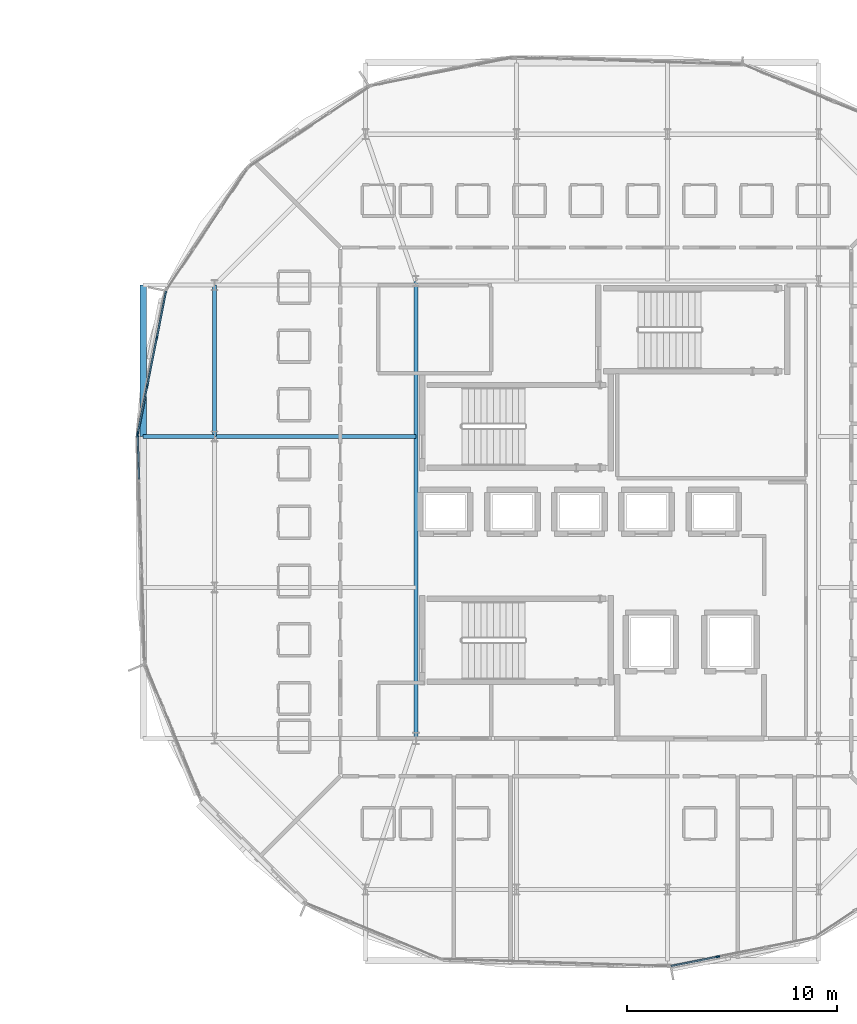
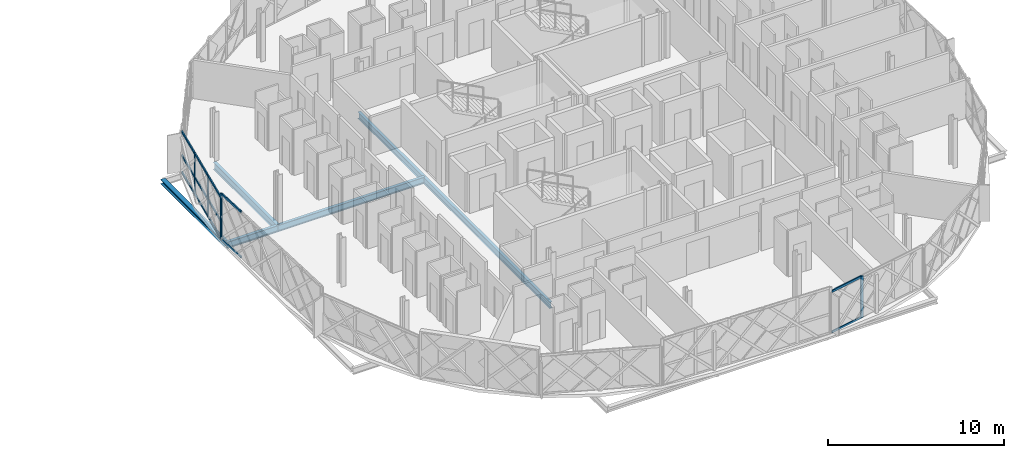
# One storey, part 7 of 26: 18 members, 5 beams, 3 elements without a shape of their own.
"""IFC4 building model written with IfcOpenShell, lengths in metres."""

from ifc_helpers import new_model, si_unit, direction, frame, origin, origin_2d, place, context, subcontext, project, spatial, rectangle, i_section, extrude, material, layer, layer_set, material_profile, profile_set, type_object, element, aggregate, save


model = new_model("IFC4")

# Units and contexts
model_context = context("Model", 3, precision=1e-05, world=origin(), true_north=direction((0.0, 1.0)))
body_context = subcontext(model_context, "Body", "Model", "MODEL_VIEW")
ifc_project = project(units=[si_unit("LENGTHUNIT", "METRE"), si_unit("AREAUNIT", "SQUARE_METRE"), si_unit("VOLUMEUNIT", "CUBIC_METRE"), si_unit("PLANEANGLEUNIT", "RADIAN"), si_unit("MASSUNIT", "GRAM", prefix="KILO")], contexts=[model_context])

# Site, building, storey
site_placement = place(None, origin())
site = spatial("IfcSite", under=ifc_project, at=site_placement, CompositionType="ELEMENT")
building_placement = place(site_placement, origin())
building = spatial("IfcBuilding", under=site, at=building_placement, Name="Zevrakil Square Congress Hotel", CompositionType="ELEMENT")
storey_placement = place(building_placement, frame((0.0, 0.0, 24.89990234375)))
storey = spatial("IfcBuildingStorey", under=building, at=storey_placement, Name="L07", CompositionType="ELEMENT", Elevation=24.89990234375)

# Beams
ifc_material_1 = material(Name="Steel S355", Category="steel")
ifc_material_profile_1 = material_profile(ifc_material_1, i_section(OverallWidth=0.18994140625, OverallDepth=0.449951171875, WebThickness=0.009521484375, FlangeThickness=0.0146484375, FilletRadius=0.02099609375, at=origin_2d()), Name="IPE 450")
ifc_profile_set_1 = profile_set([ifc_material_profile_1], Name="Steel S355")
beam_type_1 = type_object("IfcBeamType", Name="BM-IPE450", PredefinedType="BEAM", material=ifc_profile_set_1)
beam_1_placement = place(storey_placement, frame((136.800048828125, 38.60009765625, -0.429931640625), z_axis=(0.0, -1.0, 0.0), x_axis=(1.0, 0.0, 0.0)))
element("IfcBeam", 1, at=beam_1_placement, inside=storey, type_object=beam_type_1, Name="L07 drum core perimeter tie beam DCB-04", PredefinedType="BEAM", context=body_context, shape_type="SweptSolid", body=[
    extrude(i_section(OverallWidth=0.18994140625, OverallDepth=0.449951171875, WebThickness=0.009521484375, FlangeThickness=0.0146484375, FilletRadius=0.02099609375, at=origin_2d()), origin(), (0.0, 0.0, 1.0), 21.800048828125),
])
beam_2_placement = place(storey_placement, frame((136.800048828125, 31.199951171875, -0.429931640625), z_axis=(-1.0, 0.0, 0.0), x_axis=(0.0, -1.0, 0.0)))
element("IfcBeam", 2, at=beam_2_placement, inside=storey, type_object=beam_type_1, Name="L07 drum radial floor beam DRI-14", PredefinedType="BEAM", context=body_context, shape_type="SweptSolid", body=[
    extrude(i_section(OverallWidth=0.18994140625, OverallDepth=0.449951171875, WebThickness=0.009521484375, FlangeThickness=0.0146484375, FilletRadius=0.02099609375, at=origin_2d()), origin(), (0.0, 0.0, 1.0), 9.60009765625),
])
beam_3_placement = place(storey_placement, frame((127.199951171875, 31.199951171875, -0.429931640625), z_axis=(-1.0, 0.0, 0.0), x_axis=(0.0, -1.0, 0.0)))
element("IfcBeam", 3, at=beam_3_placement, inside=storey, type_object=beam_type_1, Name="L07 drum radial edge cantilever beam DRO-14", PredefinedType="BEAM", context=body_context, shape_type="SweptSolid", body=[
    extrude(i_section(OverallWidth=0.18994140625, OverallDepth=0.449951171875, WebThickness=0.009521484375, FlangeThickness=0.0146484375, FilletRadius=0.02099609375, at=origin_2d()), origin(), (0.0, 0.0, 1.0), 3.39990234375),
])
ifc_material_2 = material(Name="Steel S355", Category="steel")
ifc_material_profile_2 = material_profile(ifc_material_2, i_section(OverallWidth=0.199951171875, OverallDepth=0.5, WebThickness=0.01025390625, FlangeThickness=0.01611328125, FilletRadius=0.02099609375, at=origin_2d()), Name="IPE 500")
ifc_profile_set_2 = profile_set([ifc_material_profile_2], Name="Steel S355")
beam_type_2 = type_object("IfcBeamType", Name="BM-IPE500", PredefinedType="BEAM", material=ifc_profile_set_2)
beam_4_placement = place(storey_placement, frame((127.199951171875, 38.39990234375, -0.454833984375), z_axis=(0.0, -1.0, 0.0), x_axis=(1.0, 0.0, 0.0)))
element("IfcBeam", 4, at=beam_4_placement, inside=storey, type_object=beam_type_2, Name="L07 drum ring girder DRB-13", PredefinedType="BEAM", context=body_context, shape_type="SweptSolid", body=[
    extrude(i_section(OverallWidth=0.199951171875, OverallDepth=0.5, WebThickness=0.01025390625, FlangeThickness=0.01611328125, FilletRadius=0.02099609375, at=origin_2d()), origin(), (0.0, 0.0, 1.0), 7.199951171875),
])

# Curtain wall, members
ifc_material_3 = material(Name="Aluminium Anodised Bronze", Category="aluminium")
ifc_layer_1 = layer(ifc_material_3, 0.179931640625)
ifc_layer_set_1 = layer_set([ifc_layer_1], Name="Aluminium Anodised Bronze")
curtain_wall_type_1 = type_object("IfcCurtainWallType", Name="CW-L07-720", PredefinedType="USERDEFINED", material=ifc_layer_set_1)
curtain_wall_1_placement = place(storey_placement, origin())
curtain_wall_1 = element("IfcCurtainWall", 5, at=curtain_wall_1_placement, inside=storey, type_object=curtain_wall_type_1, Name="L07 diamond curtain wall CW-L07-0219", ObjectType="GLAZED CURTAIN WALL", PredefinedType="USERDEFINED")
ifc_material_4 = material(Name="Aluminium Anodised Bronze", Category="aluminium")
ifc_material_profile_3 = material_profile(ifc_material_4, rectangle(XDim=0.074951171875, YDim=0.14990234375, at=origin_2d()), Name="ALU 75x150")
ifc_profile_set_3 = profile_set([ifc_material_profile_3], Name="Aluminium Anodised Bronze")
member_type_1 = type_object("IfcMemberType", Name="CWM-ALU75x150", PredefinedType="USERDEFINED", material=ifc_profile_set_3)
member_1_placement = place(storey_placement, frame((148.9638671875, 5.95166015625, 0.030029296875), z_axis=(0.98078922397, 0.195070495322, 0.0), x_axis=(-0.195070495322, 0.98078922397, 0.0)))
member_1 = element("IfcMember", 6, at=member_1_placement, type_object=member_type_1, Name="CW-82 transom 1.1", ObjectType="TRANSOM", PredefinedType="USERDEFINED", context=body_context, shape_type="SweptSolid", body=[
    extrude(rectangle(XDim=0.074951171875, YDim=0.14990234375, at=origin_2d()), origin(), (0.0, 0.0, 1.0), 2.245361328125),
])
member_2_placement = place(storey_placement, frame((148.9638671875, 5.95166015625, 2.84521484375), z_axis=(0.98078922397, 0.195070495322, 0.0), x_axis=(-0.195070495322, 0.98078922397, 0.0)))
member_2 = element("IfcMember", 7, at=member_2_placement, type_object=member_type_1, Name="CW-82 transom 1.2", ObjectType="TRANSOM", PredefinedType="USERDEFINED", context=body_context, shape_type="SweptSolid", body=[
    extrude(rectangle(XDim=0.074951171875, YDim=0.14990234375, at=origin_2d()), origin(), (0.0, 0.0, 1.0), 2.245361328125),
])

curtain_wall_2_placement = place(storey_placement, origin())
curtain_wall_2 = element("IfcCurtainWall", 8, at=curtain_wall_2_placement, inside=storey, type_object=curtain_wall_type_1, Name="L07 diamond curtain wall CW-L07-0230", ObjectType="GLAZED CURTAIN WALL", PredefinedType="USERDEFINED")
member_3_placement = place(storey_placement, frame((124.89501953125, 38.1171875, 0.030029296875), z_axis=(-0.195070495322, -0.98078922397, 0.0), x_axis=(0.98078922397, -0.195070495322, 0.0)))
member_3 = element("IfcMember", 9, at=member_3_placement, type_object=member_type_1, Name="CW-82 transom 1.1", ObjectType="TRANSOM", PredefinedType="USERDEFINED", context=body_context, shape_type="SweptSolid", body=[
    extrude(rectangle(XDim=0.074951171875, YDim=0.14990234375, at=origin_2d()), origin(), (0.0, 0.0, 1.0), 2.245361328125),
])
member_4_placement = place(storey_placement, frame((124.89501953125, 38.1171875, 1.20751953125), z_axis=(-0.195070495322, -0.98078922397, 0.0), x_axis=(0.98078922397, -0.195070495322, 0.0)))
member_4 = element("IfcMember", 10, at=member_4_placement, type_object=member_type_1, Name="CW-82 transom 1.2", ObjectType="TRANSOM", PredefinedType="USERDEFINED", context=body_context, shape_type="SweptSolid", body=[
    extrude(rectangle(XDim=0.074951171875, YDim=0.14990234375, at=origin_2d()), origin(), (0.0, 0.0, 1.0), 2.245361328125),
])
member_5_placement = place(storey_placement, frame((124.89501953125, 38.1171875, 2.84521484375), z_axis=(-0.195070495322, -0.98078922397, 0.0), x_axis=(0.98078922397, -0.195070495322, 0.0)))
member_5 = element("IfcMember", 11, at=member_5_placement, type_object=member_type_1, Name="CW-82 transom 1.3", ObjectType="TRANSOM", PredefinedType="USERDEFINED", context=body_context, shape_type="SweptSolid", body=[
    extrude(rectangle(XDim=0.074951171875, YDim=0.14990234375, at=origin_2d()), origin(), (0.0, 0.0, 1.0), 2.245361328125),
])
member_6_placement = place(storey_placement, frame((124.4453125, 35.856201171875, 0.030029296875), z_axis=(-0.195084227953, -0.980786492568, 0.0), x_axis=(0.980786492568, -0.195084227953, 0.0)))
member_6 = element("IfcMember", 12, at=member_6_placement, type_object=member_type_1, Name="CW-82 transom 2.1", ObjectType="TRANSOM", PredefinedType="USERDEFINED", context=body_context, shape_type="SweptSolid", body=[
    extrude(rectangle(XDim=0.074951171875, YDim=0.14990234375, at=origin_2d()), origin(), (0.0, 0.0, 1.0), 2.275146484375),
])
member_7_placement = place(storey_placement, frame((124.4453125, 35.856201171875, 1.20751953125), z_axis=(-0.195084227953, -0.980786492568, 0.0), x_axis=(0.980786492568, -0.195084227953, 0.0)))
member_7 = element("IfcMember", 13, at=member_7_placement, type_object=member_type_1, Name="CW-82 transom 2.2", ObjectType="TRANSOM", PredefinedType="USERDEFINED", context=body_context, shape_type="SweptSolid", body=[
    extrude(rectangle(XDim=0.074951171875, YDim=0.14990234375, at=origin_2d()), origin(), (0.0, 0.0, 1.0), 2.275146484375),
])
member_8_placement = place(storey_placement, frame((124.4453125, 35.856201171875, 2.84521484375), z_axis=(-0.195084227953, -0.980786492568, 0.0), x_axis=(0.980786492568, -0.195084227953, 0.0)))
member_8 = element("IfcMember", 14, at=member_8_placement, type_object=member_type_1, Name="CW-82 transom 2.3", ObjectType="TRANSOM", PredefinedType="USERDEFINED", context=body_context, shape_type="SweptSolid", body=[
    extrude(rectangle(XDim=0.074951171875, YDim=0.14990234375, at=origin_2d()), origin(), (0.0, 0.0, 1.0), 2.275146484375),
])
member_9_placement = place(storey_placement, frame((123.98974609375, 33.56591796875, 0.030029296875), z_axis=(-0.195070495322, -0.98078922397, 0.0), x_axis=(0.98078922397, -0.195070495322, 0.0)))
member_9 = element("IfcMember", 15, at=member_9_placement, type_object=member_type_1, Name="CW-82 transom 3.1", ObjectType="TRANSOM", PredefinedType="USERDEFINED", context=body_context, shape_type="SweptSolid", body=[
    extrude(rectangle(XDim=0.074951171875, YDim=0.14990234375, at=origin_2d()), origin(), (0.0, 0.0, 1.0), 2.245361328125),
])
member_10_placement = place(storey_placement, frame((123.98974609375, 33.56591796875, 1.20751953125), z_axis=(-0.195070495322, -0.98078922397, 0.0), x_axis=(0.98078922397, -0.195070495322, 0.0)))
member_10 = element("IfcMember", 16, at=member_10_placement, type_object=member_type_1, Name="CW-82 transom 3.2", ObjectType="TRANSOM", PredefinedType="USERDEFINED", context=body_context, shape_type="SweptSolid", body=[
    extrude(rectangle(XDim=0.074951171875, YDim=0.14990234375, at=origin_2d()), origin(), (0.0, 0.0, 1.0), 2.245361328125),
])
member_11_placement = place(storey_placement, frame((123.98974609375, 33.56591796875, 2.84521484375), z_axis=(-0.195070495322, -0.98078922397, 0.0), x_axis=(0.98078922397, -0.195070495322, 0.0)))
member_11 = element("IfcMember", 17, at=member_11_placement, type_object=member_type_1, Name="CW-82 transom 3.3", ObjectType="TRANSOM", PredefinedType="USERDEFINED", context=body_context, shape_type="SweptSolid", body=[
    extrude(rectangle(XDim=0.074951171875, YDim=0.14990234375, at=origin_2d()), origin(), (0.0, 0.0, 1.0), 2.245361328125),
])

ifc_material_5 = material(Name="Aluminium Anodised Bronze", Category="aluminium")
ifc_layer_2 = layer(ifc_material_5, 0.179931640625)
ifc_layer_set_2 = layer_set([ifc_layer_2], Name="Aluminium Anodised Bronze")
curtain_wall_type_2 = type_object("IfcCurtainWallType", Name="CW-L07-900", PredefinedType="USERDEFINED", material=ifc_layer_set_2)
curtain_wall_3_placement = place(storey_placement, origin())
curtain_wall_3 = element("IfcCurtainWall", 18, at=curtain_wall_3_placement, inside=storey, type_object=curtain_wall_type_2, Name="L07 diamond curtain wall CW-L07-0231", ObjectType="GLAZED CURTAIN WALL", PredefinedType="USERDEFINED")
member_12_placement = place(storey_placement, frame((123.5419921875, 31.2451171875, 0.030029296875), z_axis=(0.031598771798, -0.999500634127, 0.0), x_axis=(0.999500634127, 0.031598771798, 0.0)))
member_12 = element("IfcMember", 19, at=member_12_placement, type_object=member_type_1, Name="CW-84 transom 1.1", ObjectType="TRANSOM", PredefinedType="USERDEFINED", context=body_context, shape_type="SweptSolid", body=[
    extrude(rectangle(XDim=0.074951171875, YDim=0.14990234375, at=origin_2d()), origin(), (0.0, 0.0, 1.0), 2.09375),
])
member_13_placement = place(storey_placement, frame((123.5419921875, 31.2451171875, 3.16015625), z_axis=(0.031598771798, -0.999500634127, 0.0), x_axis=(0.999500634127, 0.031598771798, 0.0)))
member_13 = element("IfcMember", 20, at=member_13_placement, type_object=member_type_1, Name="CW-84 transom 1.2", ObjectType="TRANSOM", PredefinedType="USERDEFINED", context=body_context, shape_type="SweptSolid", body=[
    extrude(rectangle(XDim=0.074951171875, YDim=0.14990234375, at=origin_2d()), origin(), (0.0, 0.0, 1.0), 2.09375),
])

# Member
ifc_material_6 = material(Name="Aluminium Anodised Bronze", Category="aluminium")
ifc_material_profile_4 = material_profile(ifc_material_6, rectangle(XDim=0.074951171875, YDim=0.179931640625, at=origin_2d()), Name="ALU 75x180")
ifc_profile_set_4 = profile_set([ifc_material_profile_4], Name="Aluminium Anodised Bronze")
member_type_2 = type_object("IfcMemberType", Name="CWM-ALU75x180", PredefinedType="MULLION", material=ifc_profile_set_4)
member_14_placement = place(storey_placement, frame((151.1953125, 6.3955078125, 0.0), z_axis=(0.0, 0.0, 1.0), x_axis=(-0.195083900459, 0.980786557708, 0.0)))
member_14 = element("IfcMember", 21, at=member_14_placement, type_object=member_type_2, Name="CW-82 mullion 2", PredefinedType="MULLION", context=body_context, shape_type="SweptSolid", body=[
    extrude(rectangle(XDim=0.074951171875, YDim=0.179931640625, at=origin_2d()), origin(), (0.0, 0.0, 1.0), 2.875),
])

aggregate(curtain_wall_1, [member_14, member_1, member_2])

member_15_placement = place(storey_placement, frame((124.451171875, 35.8857421875, 0.0), z_axis=(0.0, 0.0, 1.0), x_axis=(0.980786557708, -0.195083900459, 0.0)))
member_15 = element("IfcMember", 22, at=member_15_placement, type_object=member_type_2, Name="CW-82 mullion 2", PredefinedType="MULLION", context=body_context, shape_type="SweptSolid", body=[
    extrude(rectangle(XDim=0.074951171875, YDim=0.179931640625, at=origin_2d()), origin(), (0.0, 0.0, 1.0), 2.875),
])

member_16_placement = place(storey_placement, frame((123.99560546875, 33.595458984375, 0.0), z_axis=(0.0, 0.0, 1.0), x_axis=(0.980786557708, -0.195083900459, 0.0)))
member_16 = element("IfcMember", 23, at=member_16_placement, type_object=member_type_2, Name="CW-82 mullion 3", PredefinedType="MULLION", context=body_context, shape_type="SweptSolid", body=[
    extrude(rectangle(XDim=0.074951171875, YDim=0.179931640625, at=origin_2d()), origin(), (0.0, 0.0, 1.0), 2.875),
])

member_17_placement = place(storey_placement, frame((123.5458984375, 31.33447265625, 0.0), z_axis=(0.0, 0.0, 1.0), x_axis=(0.980786557708, -0.195083900459, 0.0)))
member_17 = element("IfcMember", 24, at=member_17_placement, type_object=member_type_2, Name="CW-82 mullion 4", PredefinedType="MULLION", context=body_context, shape_type="SweptSolid", body=[
    extrude(rectangle(XDim=0.074951171875, YDim=0.179931640625, at=origin_2d()), origin(), (0.0, 0.0, 1.0), 2.875),
])

aggregate(curtain_wall_2, [member_15, member_16, member_17, member_3, member_4, member_5, member_6, member_7, member_8, member_9, member_10, member_11])

member_18_placement = place(storey_placement, frame((123.541015625, 31.27490234375, 0.0), z_axis=(0.0, 0.0, 1.0), x_axis=(0.999500643846, 0.031598464383, 0.0)))
member_18 = element("IfcMember", 25, at=member_18_placement, type_object=member_type_2, Name="CW-84 mullion 1", PredefinedType="MULLION", context=body_context, shape_type="SweptSolid", body=[
    extrude(rectangle(XDim=0.074951171875, YDim=0.179931640625, at=origin_2d()), origin(), (0.0, 0.0, 1.0), 3.190185546875),
])

aggregate(curtain_wall_3, [member_18, member_12, member_13])

# Beam
ifc_material_7 = material(Name="Steel S355", Category="steel")
ifc_material_profile_5 = material_profile(ifc_material_7, i_section(OverallWidth=0.300048828125, OverallDepth=0.300048828125, WebThickness=0.010986328125, FlangeThickness=0.01904296875, FilletRadius=0.027099609375, at=origin_2d()), Name="HEB 300")
ifc_profile_set_5 = profile_set([ifc_material_profile_5], Name="Steel S355")
beam_type_3 = type_object("IfcBeamType", Name="SPD-RHS250", PredefinedType="SPANDREL", material=ifc_profile_set_5)
beam_5_placement = place(storey_placement, frame((123.800048828125, 38.39990234375, -0.35498046875), z_axis=(0.0, -1.0, 0.0), x_axis=(1.0, 0.0, 0.0)))
element("IfcBeam", 26, at=beam_5_placement, inside=storey, type_object=beam_type_3, Name="L07 drum edge spandrel beam DSP-12", PredefinedType="SPANDREL", context=body_context, shape_type="SweptSolid", body=[
    extrude(i_section(OverallWidth=0.300048828125, OverallDepth=0.300048828125, WebThickness=0.010986328125, FlangeThickness=0.01904296875, FilletRadius=0.027099609375, at=origin_2d()), origin(), (0.0, 0.0, 1.0), 7.199951171875),
])

save(model, "model.ifc")
